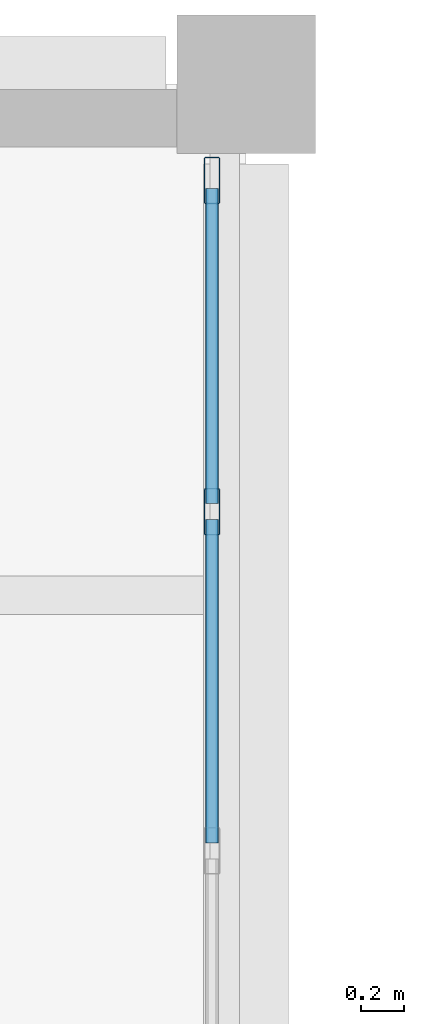
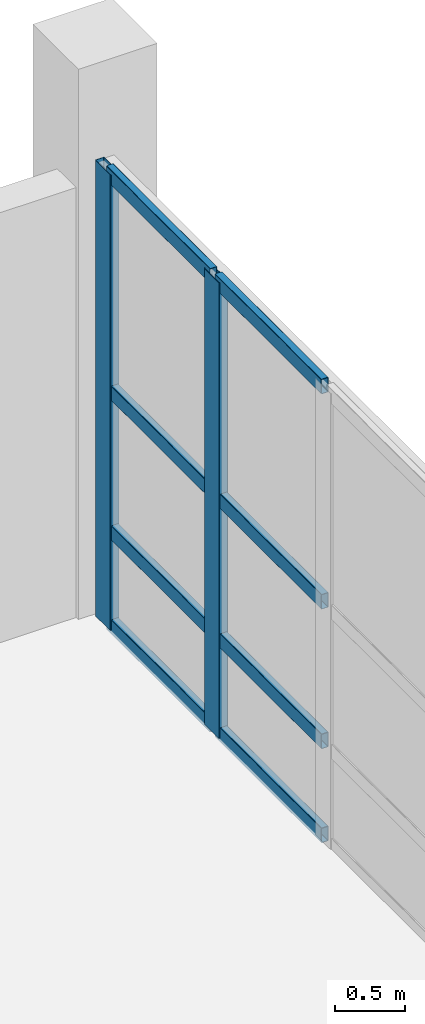
# One storey, part 75 of 127: 10 members, 1 element without a shape of its own.
"""IFC4 building model written with IfcOpenShell, lengths in metres."""

from ifc_helpers import new_model, si_unit, direction, frame, origin, origin_2d, place, context, subcontext, project, spatial, hollow_rectangle, extrude, material, material_profile, profile_set, type_object, element, aggregate, save


model = new_model("IFC4")

# Units and contexts
model_context = context("Model", 3, precision=1e-05, world=origin(), true_north=direction((0.0, 1.0)))
body_context = subcontext(model_context, "Body", "Model", "MODEL_VIEW")
ifc_project = project(units=[si_unit("LENGTHUNIT", "METRE"), si_unit("AREAUNIT", "SQUARE_METRE"), si_unit("VOLUMEUNIT", "CUBIC_METRE"), si_unit("PLANEANGLEUNIT", "RADIAN"), si_unit("MASSUNIT", "GRAM", prefix="KILO")], contexts=[model_context])

# Site, building, storey
site_placement = place(None, origin())
site = spatial("IfcSite", under=ifc_project, at=site_placement, CompositionType="ELEMENT")
building_placement = place(site_placement, origin())
building = spatial("IfcBuilding", under=site, at=building_placement, Name="Kalmorath City Hall", CompositionType="ELEMENT")
storey_placement = place(building_placement, frame((0.0, 0.0, 5.39990234375)))
storey = spatial("IfcBuildingStorey", under=building, at=storey_placement, Name="L01", CompositionType="ELEMENT", Elevation=5.39990234375)

# Curtain wall, members
ifc_material_1 = material(Name="Anodised aluminium and laminated glass", Category="aluminium")
curtain_wall_type = type_object("IfcCurtainWallType", Name="Unitised hurricane curtain wall 6370x3976 M1650", PredefinedType="NOTDEFINED", material=ifc_material_1)
curtain_wall_placement = place(storey_placement, origin())
curtain_wall = element("IfcCurtainWall", 1, at=curtain_wall_placement, inside=storey, type_object=curtain_wall_type, Name="L01 curtain wall CW-64X40M16 #59", PredefinedType="NOTDEFINED")
ifc_material_2 = material(Name="Anodised aluminium framing", Category="aluminium")
ifc_material_profile_1 = material_profile(ifc_material_2, hollow_rectangle(XDim=0.06005859375, YDim=0.1298828125, WallThickness=0.00341796875, InnerFilletRadius=0.00341796875, OuterFilletRadius=0.007080078125, at=origin_2d()), Name="ALU-TRN-130X60X3.5")
ifc_profile_set_1 = profile_set([ifc_material_profile_1], Name="Anodised aluminium framing")
member_type_1 = type_object("IfcMemberType", Name="Curtain-wall courtyard transom 130x60", PredefinedType="USERDEFINED", material=ifc_profile_set_1)
member_1_placement = place(storey_placement, frame((129.43994140625, 114.7099609375, 0.030029296875), z_axis=(0.0, -1.0, 0.0), x_axis=(1.0, 0.0, 0.0)))
member_1 = element("IfcMember", 2, at=member_1_placement, type_object=member_type_1, Name="CW-64X40M16 transom 1.1", ObjectType="TRANSOM", PredefinedType="USERDEFINED", context=body_context, shape_type="SweptSolid", body=[
    extrude(hollow_rectangle(XDim=0.06005859375, YDim=0.1298828125, WallThickness=0.00341796875, InnerFilletRadius=0.00341796875, OuterFilletRadius=0.007080078125, at=origin_2d()), origin(), (0.0, 0.0, 1.0), 1.47998046875),
])
member_2_placement = place(storey_placement, frame((129.43994140625, 114.7099609375, 0.85009765625), z_axis=(0.0, -1.0, 0.0), x_axis=(1.0, 0.0, 0.0)))
member_2 = element("IfcMember", 3, at=member_2_placement, type_object=member_type_1, Name="CW-64X40M16 transom 1.2", ObjectType="TRANSOM", PredefinedType="USERDEFINED", context=body_context, shape_type="SweptSolid", body=[
    extrude(hollow_rectangle(XDim=0.06005859375, YDim=0.1298828125, WallThickness=0.00341796875, InnerFilletRadius=0.00341796875, OuterFilletRadius=0.007080078125, at=origin_2d()), origin(), (0.0, 0.0, 1.0), 1.47998046875),
])
member_3_placement = place(storey_placement, frame((129.43994140625, 114.7099609375, 2.068115234375), z_axis=(0.0, -1.0, 0.0), x_axis=(1.0, 0.0, 0.0)))
member_3 = element("IfcMember", 4, at=member_3_placement, type_object=member_type_1, Name="CW-64X40M16 transom 1.3", ObjectType="TRANSOM", PredefinedType="USERDEFINED", context=body_context, shape_type="SweptSolid", body=[
    extrude(hollow_rectangle(XDim=0.06005859375, YDim=0.1298828125, WallThickness=0.00341796875, InnerFilletRadius=0.00341796875, OuterFilletRadius=0.007080078125, at=origin_2d()), origin(), (0.0, 0.0, 1.0), 1.47998046875),
])
member_4_placement = place(storey_placement, frame((129.43994140625, 114.7099609375, 3.946044921875), z_axis=(0.0, -1.0, 0.0), x_axis=(1.0, 0.0, 0.0)))
member_4 = element("IfcMember", 5, at=member_4_placement, type_object=member_type_1, Name="CW-64X40M16 transom 1.4", ObjectType="TRANSOM", PredefinedType="USERDEFINED", context=body_context, shape_type="SweptSolid", body=[
    extrude(hollow_rectangle(XDim=0.06005859375, YDim=0.1298828125, WallThickness=0.00341796875, InnerFilletRadius=0.00341796875, OuterFilletRadius=0.007080078125, at=origin_2d()), origin(), (0.0, 0.0, 1.0), 1.47998046875),
])
member_5_placement = place(storey_placement, frame((129.43994140625, 113.155029296875, 0.030029296875), z_axis=(0.0, -1.0, 0.0), x_axis=(1.0, 0.0, 0.0)))
member_5 = element("IfcMember", 6, at=member_5_placement, type_object=member_type_1, Name="CW-64X40M16 transom 2.1", ObjectType="TRANSOM", PredefinedType="USERDEFINED", context=body_context, shape_type="SweptSolid", body=[
    extrude(hollow_rectangle(XDim=0.06005859375, YDim=0.1298828125, WallThickness=0.00341796875, InnerFilletRadius=0.00341796875, OuterFilletRadius=0.007080078125, at=origin_2d()), origin(), (0.0, 0.0, 1.0), 1.517578125),
])
member_6_placement = place(storey_placement, frame((129.43994140625, 113.155029296875, 0.85009765625), z_axis=(0.0, -1.0, 0.0), x_axis=(1.0, 0.0, 0.0)))
member_6 = element("IfcMember", 7, at=member_6_placement, type_object=member_type_1, Name="CW-64X40M16 transom 2.2", ObjectType="TRANSOM", PredefinedType="USERDEFINED", context=body_context, shape_type="SweptSolid", body=[
    extrude(hollow_rectangle(XDim=0.06005859375, YDim=0.1298828125, WallThickness=0.00341796875, InnerFilletRadius=0.00341796875, OuterFilletRadius=0.007080078125, at=origin_2d()), origin(), (0.0, 0.0, 1.0), 1.517578125),
])
member_7_placement = place(storey_placement, frame((129.43994140625, 113.155029296875, 2.068115234375), z_axis=(0.0, -1.0, 0.0), x_axis=(1.0, 0.0, 0.0)))
member_7 = element("IfcMember", 8, at=member_7_placement, type_object=member_type_1, Name="CW-64X40M16 transom 2.3", ObjectType="TRANSOM", PredefinedType="USERDEFINED", context=body_context, shape_type="SweptSolid", body=[
    extrude(hollow_rectangle(XDim=0.06005859375, YDim=0.1298828125, WallThickness=0.00341796875, InnerFilletRadius=0.00341796875, OuterFilletRadius=0.007080078125, at=origin_2d()), origin(), (0.0, 0.0, 1.0), 1.517578125),
])
member_8_placement = place(storey_placement, frame((129.43994140625, 113.155029296875, 3.946044921875), z_axis=(0.0, -1.0, 0.0), x_axis=(1.0, 0.0, 0.0)))
member_8 = element("IfcMember", 9, at=member_8_placement, type_object=member_type_1, Name="CW-64X40M16 transom 2.4", ObjectType="TRANSOM", PredefinedType="USERDEFINED", context=body_context, shape_type="SweptSolid", body=[
    extrude(hollow_rectangle(XDim=0.06005859375, YDim=0.1298828125, WallThickness=0.00341796875, InnerFilletRadius=0.00341796875, OuterFilletRadius=0.007080078125, at=origin_2d()), origin(), (0.0, 0.0, 1.0), 1.517578125),
])
ifc_material_3 = material(Name="Anodised aluminium framing", Category="aluminium")
ifc_material_profile_2 = material_profile(ifc_material_3, hollow_rectangle(XDim=0.074951171875, YDim=0.219970703125, WallThickness=0.00390625, InnerFilletRadius=0.00390625, OuterFilletRadius=0.008056640625, at=origin_2d()), Name="ALU-MUL-220X75X4")
ifc_profile_set_2 = profile_set([ifc_material_profile_2], Name="Anodised aluminium framing")
member_type_2 = type_object("IfcMemberType", Name="Curtain-wall primary mullion 220x75", PredefinedType="MULLION", material=ifc_profile_set_2)
member_9_placement = place(storey_placement, frame((129.43994140625, 114.74755859375, 0.0), z_axis=(0.0, 0.0, 1.0), x_axis=(1.0, 0.0, 0.0)))
member_9 = element("IfcMember", 10, at=member_9_placement, type_object=member_type_2, Name="CW-64X40M16 mullion 1", PredefinedType="MULLION", context=body_context, shape_type="SweptSolid", body=[
    extrude(hollow_rectangle(XDim=0.074951171875, YDim=0.219970703125, WallThickness=0.00390625, InnerFilletRadius=0.00390625, OuterFilletRadius=0.008056640625, at=origin_2d()), origin(), (0.0, 0.0, 1.0), 3.97607421875),
])
member_10_placement = place(storey_placement, frame((129.43994140625, 113.1923828125, 0.0), z_axis=(0.0, 0.0, 1.0), x_axis=(1.0, 0.0, 0.0)))
member_10 = element("IfcMember", 11, at=member_10_placement, type_object=member_type_2, Name="CW-64X40M16 mullion 2", PredefinedType="MULLION", context=body_context, shape_type="SweptSolid", body=[
    extrude(hollow_rectangle(XDim=0.074951171875, YDim=0.219970703125, WallThickness=0.00390625, InnerFilletRadius=0.00390625, OuterFilletRadius=0.008056640625, at=origin_2d()), origin(), (0.0, 0.0, 1.0), 3.97607421875),
])
aggregate(curtain_wall, [member_9, member_10, member_1, member_2, member_3, member_4, member_5, member_6, member_7, member_8])

save(model, "model.ifc")
